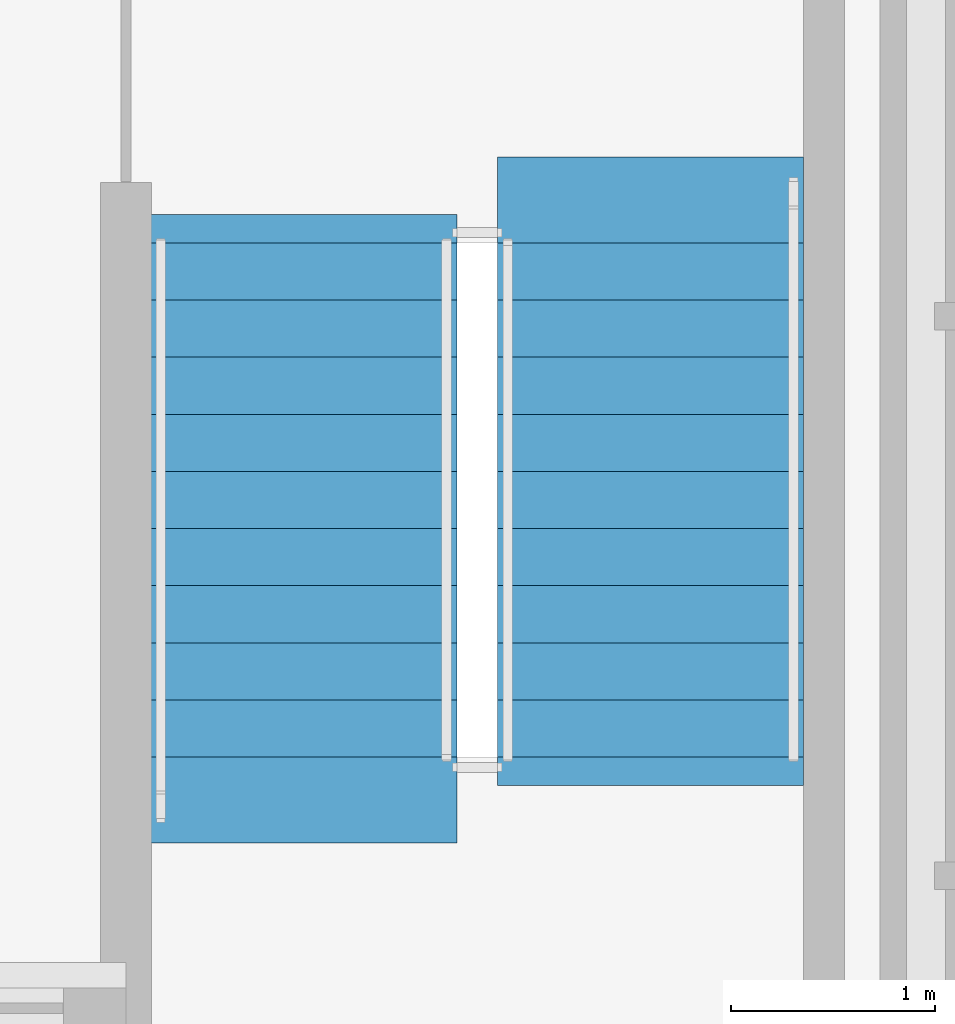
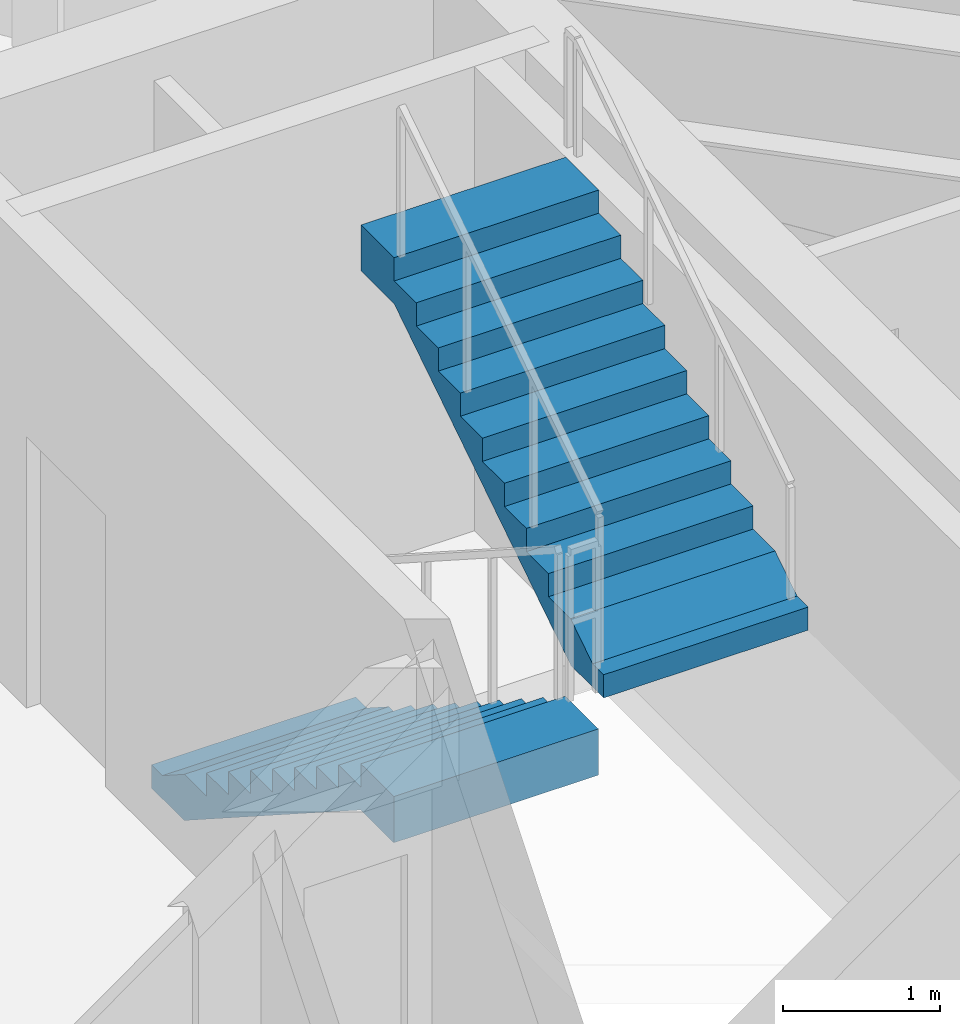
# One storey, part 10 of 12: 2 stair flights, 1 element without a shape of its own.
"""IFC4 building model written with IfcOpenShell, lengths in metres."""

from ifc_helpers import new_model, si_unit, direction, frame, origin, place, context, subcontext, project, spatial, polyline, outline, extrude, material, layer, layer_set, type_object, element, aggregate, save


model = new_model("IFC4")

# Units and contexts
model_context = context("Model", 3, precision=1e-05, world=origin(), true_north=direction((0.0, 1.0)))
body_context = subcontext(model_context, "Body", "Model", "MODEL_VIEW")
ifc_project = project(units=[si_unit("LENGTHUNIT", "METRE"), si_unit("AREAUNIT", "SQUARE_METRE"), si_unit("VOLUMEUNIT", "CUBIC_METRE"), si_unit("PLANEANGLEUNIT", "RADIAN"), si_unit("MASSUNIT", "GRAM", prefix="KILO")], contexts=[model_context])

# Site, building, storey
site_placement = place(None, origin())
site = spatial("IfcSite", under=ifc_project, at=site_placement, CompositionType="ELEMENT")
building_placement = place(site_placement, origin())
building = spatial("IfcBuilding", under=site, at=building_placement, Name="Talgorran Terracotta Tower", CompositionType="ELEMENT")
storey_placement = place(building_placement, frame((0.0, 0.0, 259.800048828125)))
storey = spatial("IfcBuildingStorey", under=building, at=storey_placement, Name="L68", CompositionType="ELEMENT", Elevation=259.800048828125)

# Stair, stair flights
ifc_material = material(Name="Concrete C40/50", Category="concrete")
stair_type = type_object("IfcStairType", Name="ST_FIRE_SCISSOR", PredefinedType="HALF_TURN_STAIR", material=ifc_material)
stair_placement = place(storey_placement, origin())
stair = element("IfcStair", 1, at=stair_placement, inside=storey, type_object=stair_type, Name="L68 East Protected Fire Stair ST-02", PredefinedType="HALF_TURN_STAIR")
ifc_layer = layer(ifc_material, 0.179931640625, Name="STF_RC_1500")
ifc_layer_set = layer_set([ifc_layer], Name="Concrete C40/50")
stair_flight_type = type_object("IfcStairFlightType", Name="STF_RC_1500", PredefinedType="STRAIGHT", material=ifc_layer_set)
stair_flight_1_placement = place(storey_placement, frame((9.35009765625, -7.199951171875, 0.0), z_axis=(0.0, 0.0, 1.0), x_axis=(0.0, -1.0, 0.0)))
stair_flight_1 = element("IfcStairFlight", 2, at=stair_flight_1_placement, type_object=stair_flight_type, Name="ST-02 flight 1", NumberOfRisers=10, NumberOfTreads=9, PredefinedType="STRAIGHT", RiserHeight=0.18, TreadLength=0.28, context=body_context, shape_type="SweptSolid", body=[
    extrude(outline(polyline([(-0.139892578125, 0.0), (-0.139892578125, 0.179931640625), (0.0, 0.179931640625), (0.280029296875, 0.360107421875), (0.56005859375, 0.360107421875), (0.56005859375, 0.5400390625), (0.840087890625, 0.5400390625), (0.840087890625, 0.719970703125), (1.1201171875, 0.719970703125), (1.1201171875, 0.89990234375), (1.39990234375, 0.89990234375), (1.39990234375, 1.080078125), (1.679931640625, 1.080078125), (1.679931640625, 1.260009765625), (1.9599609375, 1.260009765625), (1.9599609375, 1.43994140625), (2.239990234375, 1.43994140625), (2.239990234375, 1.6201171875), (2.52001953125, 1.6201171875), (2.52001953125, 1.800048828125), (2.93994140625, 1.800048828125), (2.93994140625, 1.44189453125), (2.52001953125, 1.44189453125), (0.277099609375, 0.0), (-0.139892578125, 0.0)])), frame((0.0, 0.75, 0.0), z_axis=(0.0, -1.0, 0.0), x_axis=(1.0, 0.0, 0.0)), (0.0, 0.0, 1.0), 1.5),
])
stair_flight_2_placement = place(storey_placement, frame((11.050048828125, -9.719970703125, 1.800048828125), z_axis=(0.0, 0.0, 1.0), x_axis=(0.0, 1.0, 0.0)))
stair_flight_2 = element("IfcStairFlight", 3, at=stair_flight_2_placement, type_object=stair_flight_type, Name="ST-02 flight 2", NumberOfRisers=10, NumberOfTreads=9, PredefinedType="STRAIGHT", RiserHeight=0.18, TreadLength=0.28, context=body_context, shape_type="SweptSolid", body=[
    extrude(outline(polyline([(-0.139892578125, 0.0), (-0.139892578125, 0.179931640625), (0.0, 0.179931640625), (0.280029296875, 0.360107421875), (0.56005859375, 0.360107421875), (0.56005859375, 0.5400390625), (0.840087890625, 0.5400390625), (0.840087890625, 0.719970703125), (1.1201171875, 0.719970703125), (1.1201171875, 0.89990234375), (1.39990234375, 0.89990234375), (1.39990234375, 1.080078125), (1.679931640625, 1.080078125), (1.679931640625, 1.260009765625), (1.9599609375, 1.260009765625), (1.9599609375, 1.43994140625), (2.239990234375, 1.43994140625), (2.239990234375, 1.6201171875), (2.52001953125, 1.6201171875), (2.52001953125, 1.800048828125), (2.93994140625, 1.800048828125), (2.93994140625, 1.44189453125), (2.52001953125, 1.44189453125), (0.277099609375, 0.0), (-0.139892578125, 0.0)])), frame((0.0, 0.75, 0.0), z_axis=(0.0, -1.0, 0.0), x_axis=(1.0, 0.0, 0.0)), (0.0, 0.0, 1.0), 1.5),
])
aggregate(stair, [stair_flight_1, stair_flight_2])

save(model, "model.ifc")
